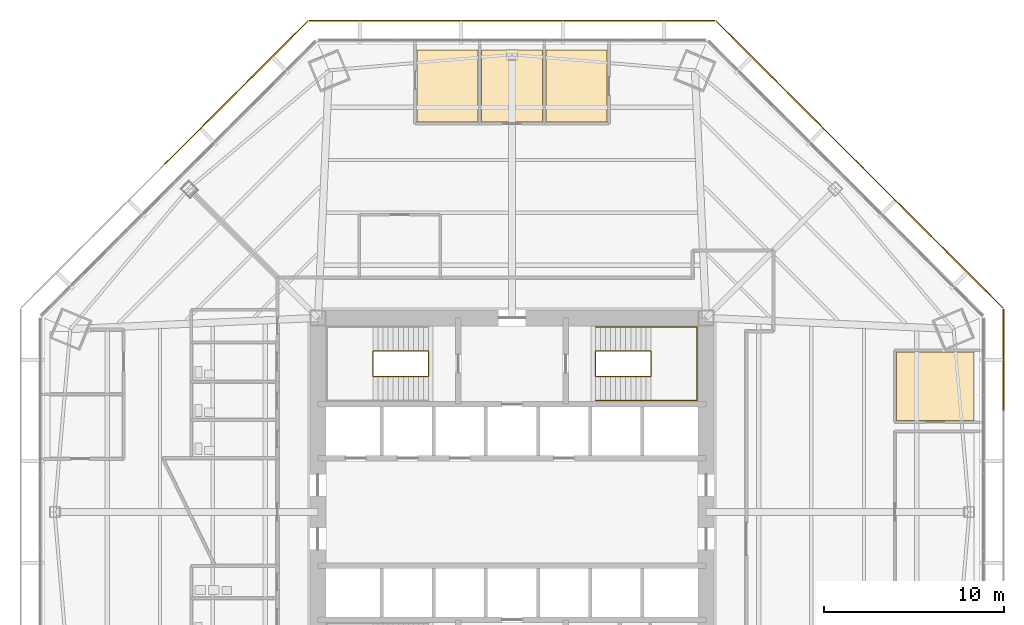
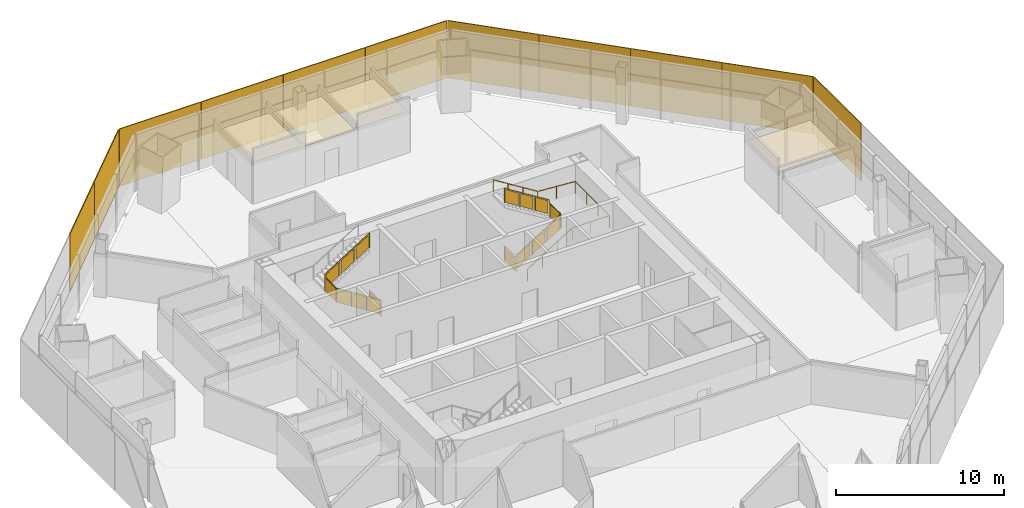
# One storey, part 14 of 15: 11 shading devices, 4 coverings, 3 railings.
"""IFC4 building model written with IfcOpenShell, lengths in metres."""

from ifc_helpers import new_model, si_unit, direction, frame, origin, origin_2d, place, context, subcontext, project, spatial, polyline, rectangle, circle, outline, extrude, source, transform, mapped, material, layer, layer_set, type_object, type_shapes, element, save


model = new_model("IFC4")

# Units and contexts
model_context = context("Model", 3, precision=1e-05, world=origin(), true_north=direction((0.0, 1.0)))
body_context = subcontext(model_context, "Body", "Model", "MODEL_VIEW")
ifc_project = project(units=[si_unit("LENGTHUNIT", "METRE"), si_unit("AREAUNIT", "SQUARE_METRE"), si_unit("VOLUMEUNIT", "CUBIC_METRE"), si_unit("PLANEANGLEUNIT", "RADIAN"), si_unit("MASSUNIT", "GRAM", prefix="KILO")], contexts=[model_context])

# Site, building, storey
site_placement = place(None, origin())
site = spatial("IfcSite", under=ifc_project, at=site_placement, CompositionType="ELEMENT")
building_placement = place(site_placement, origin())
building = spatial("IfcBuilding", under=site, at=building_placement, Name="Mashrafa Tower", CompositionType="ELEMENT")
storey_placement = place(building_placement, frame((0.0, 0.0, 62.39990234375)))
storey = spatial("IfcBuildingStorey", under=building, at=storey_placement, Name="L13", CompositionType="ELEMENT", Elevation=62.39990234375)

# Railings
ifc_material_1 = material(Name="Steel guard with glass infill", Category="steel")
railing_type_1 = type_object("IfcRailingType", Name="Stair guard 1100", PredefinedType="GUARDRAIL", material=ifc_material_1)
railing_1_placement = place(storey_placement, frame((-4.64990234375, 8.949951171875, 0.0)))
element("IfcRailing", 1, at=railing_1_placement, inside=storey, type_object=railing_type_1, Name="Stair S1 guard L13", PredefinedType="GUARDRAIL", context=body_context, shape_type="SweptSolid", body=[
    extrude(circle(Radius=0.02392578125, at=origin_2d()), frame((0.0, 0.0, 1.076171875), z_axis=(0.0, -1.0, 0.0), x_axis=(1.0, 0.0, 0.0)), (0.0, 0.0, 1.0), 1.39990234375),
    extrude(circle(Radius=0.02392578125, at=origin_2d()), frame((0.0, -1.39990234375, 1.076171875), z_axis=(0.0, 0.0, 1.0), x_axis=(1.0, 0.0, 0.0)), (0.0, 0.0, 1.0), 0.175048828125),
    extrude(circle(Radius=0.02392578125, at=origin_2d()), frame((0.0, -1.39990234375, 1.2509765625), z_axis=(-0.847998304005, 0.0, 0.529998940003), x_axis=(0.0, -1.0, 0.0)), (0.0, 0.0, 1.0), 3.632080078125),
    extrude(circle(Radius=0.02392578125, at=origin_2d()), frame((-3.080078125, -1.39990234375, 3.17626953125), z_axis=(0.0, 1.0, 0.0), x_axis=(-1.0, 0.0, 0.0)), (0.0, 0.0, 1.0), 1.39990234375),
    extrude(circle(Radius=0.02392578125, at=origin_2d()), frame((-3.080078125, 0.0, 3.17626953125), z_axis=(0.0, 0.0, 1.0), x_axis=(1.0, 0.0, 0.0)), (0.0, 0.0, 1.0), 0.175048828125),
    extrude(circle(Radius=0.02392578125, at=origin_2d()), frame((-3.080078125, 0.0, 3.35107421875), z_axis=(0.847998304005, 0.0, 0.529998940003), x_axis=(0.0, 1.0, 0.0)), (0.0, 0.0, 1.0), 3.632080078125),
    extrude(circle(Radius=0.02099609375, at=origin_2d()), origin(), (0.0, 0.0, 1.0), 1.052001953125),
    extrude(circle(Radius=0.02099609375, at=origin_2d()), frame((0.0, -1.39990234375, 0.0)), (0.0, 0.0, 1.0), 1.052001953125),
    extrude(circle(Radius=0.02099609375, at=origin_2d()), frame((0.0, -1.39990234375, 0.175048828125)), (0.0, 0.0, 1.0), 1.052001953125),
    extrude(circle(Radius=0.02099609375, at=origin_2d()), frame((-1.026611328125, -1.39990234375, 0.816650390625)), (0.0, 0.0, 1.0), 1.052001953125),
    extrude(circle(Radius=0.02099609375, at=origin_2d()), frame((-2.053466796875, -1.39990234375, 1.45849609375)), (0.0, 0.0, 1.0), 1.052001953125),
    extrude(circle(Radius=0.02099609375, at=origin_2d()), frame((-3.080078125, -1.39990234375, 2.10009765625)), (0.0, 0.0, 1.0), 1.052001953125),
    extrude(circle(Radius=0.02099609375, at=origin_2d()), frame((-3.080078125, 0.0, 2.10009765625)), (0.0, 0.0, 1.0), 1.052001953125),
    extrude(circle(Radius=0.02099609375, at=origin_2d()), frame((-3.080078125, 0.0, 2.275146484375)), (0.0, 0.0, 1.0), 1.052001953125),
    extrude(circle(Radius=0.02099609375, at=origin_2d()), frame((-2.053466796875, 0.0, 2.916748046875)), (0.0, 0.0, 1.0), 1.052001953125),
    extrude(circle(Radius=0.02099609375, at=origin_2d()), frame((-1.026611328125, 0.0, 3.55859375)), (0.0, 0.0, 1.0), 1.052001953125),
    extrude(circle(Radius=0.02099609375, at=origin_2d()), frame((0.0, 0.0, 4.2001953125)), (0.0, 0.0, 1.0), 1.052001953125),
    extrude(outline(polyline([(0.071044921875, 0.050048828125), (1.328857421875, 0.050048828125), (1.328857421875, 1.001953125), (0.071044921875, 1.001953125), (0.071044921875, 0.050048828125)])), frame((-0.006103515625, 0.0, 0.0), z_axis=(-1.0, 0.0, 0.0), x_axis=(0.0, -1.0, 0.0)), (0.0, 0.0, 1.0), 0.011962890625),
    extrude(outline(polyline([(0.071044921875, 0.094482421875), (0.955810546875, 0.647216796875), (0.955810546875, 1.599365234375), (0.071044921875, 1.04638671875), (0.071044921875, 0.094482421875)])), frame((0.0, -1.393798828125, 0.175048828125), z_axis=(0.0, 1.0, 0.0), x_axis=(-1.0, 0.0, 0.0)), (0.0, 0.0, 1.0), 0.011962890625),
    extrude(outline(polyline([(1.09765625, 0.736083984375), (1.982421875, 1.2890625), (1.982421875, 2.240966796875), (1.09765625, 1.68798828125), (1.09765625, 0.736083984375)])), frame((0.0, -1.393798828125, 0.175048828125), z_axis=(0.0, 1.0, 0.0), x_axis=(-1.0, 0.0, 0.0)), (0.0, 0.0, 1.0), 0.011962890625),
    extrude(outline(polyline([(2.124267578125, 1.377685546875), (3.009033203125, 1.9306640625), (3.009033203125, 2.882568359375), (2.124267578125, 2.329833984375), (2.124267578125, 1.377685546875)])), frame((0.0, -1.393798828125, 0.175048828125), z_axis=(0.0, 1.0, 0.0), x_axis=(-1.0, 0.0, 0.0)), (0.0, 0.0, 1.0), 0.011962890625),
    extrude(outline(polyline([(0.071044921875, 0.050048828125), (1.328857421875, 0.050048828125), (1.328857421875, 1.001953125), (0.071044921875, 1.001953125), (0.071044921875, 0.050048828125)])), frame((-3.073974609375, -1.39990234375, 2.10009765625), z_axis=(1.0, 0.0, 0.0), x_axis=(0.0, 1.0, 0.0)), (0.0, 0.0, 1.0), 0.011962890625),
    extrude(outline(polyline([(0.071044921875, 0.094482421875), (0.955810546875, 0.647216796875), (0.955810546875, 1.599365234375), (0.071044921875, 1.04638671875), (0.071044921875, 0.094482421875)])), frame((-3.080078125, -0.006103515625, 2.275146484375), z_axis=(0.0, -1.0, 0.0), x_axis=(1.0, 0.0, 0.0)), (0.0, 0.0, 1.0), 0.011962890625),
    extrude(outline(polyline([(1.09765625, 0.736083984375), (1.982421875, 1.2890625), (1.982421875, 2.240966796875), (1.09765625, 1.68798828125), (1.09765625, 0.736083984375)])), frame((-3.080078125, -0.006103515625, 2.275146484375), z_axis=(0.0, -1.0, 0.0), x_axis=(1.0, 0.0, 0.0)), (0.0, 0.0, 1.0), 0.011962890625),
    extrude(outline(polyline([(2.124267578125, 1.377685546875), (3.009033203125, 1.9306640625), (3.009033203125, 2.882568359375), (2.124267578125, 2.329833984375), (2.124267578125, 1.377685546875)])), frame((-3.080078125, -0.006103515625, 2.275146484375), z_axis=(0.0, -1.0, 0.0), x_axis=(1.0, 0.0, 0.0)), (0.0, 0.0, 1.0), 0.011962890625),
])
railing_2_placement = place(storey_placement, frame((4.64990234375, 8.949951171875, 0.0)))
element("IfcRailing", 2, at=railing_2_placement, inside=storey, type_object=railing_type_1, Name="Stair S2 guard L13", PredefinedType="GUARDRAIL", context=body_context, shape_type="SweptSolid", body=[
    extrude(circle(Radius=0.02392578125, at=origin_2d()), frame((0.0, 0.0, 1.076171875), z_axis=(0.0, -1.0, 0.0), x_axis=(1.0, 0.0, 0.0)), (0.0, 0.0, 1.0), 1.39990234375),
    extrude(circle(Radius=0.02392578125, at=origin_2d()), frame((0.0, -1.39990234375, 1.076171875), z_axis=(0.0, 0.0, 1.0), x_axis=(1.0, 0.0, 0.0)), (0.0, 0.0, 1.0), 0.175048828125),
    extrude(circle(Radius=0.02392578125, at=origin_2d()), frame((0.0, -1.39990234375, 1.2509765625), z_axis=(0.847998304005, 0.0, 0.529998940003), x_axis=(0.0, 1.0, 0.0)), (0.0, 0.0, 1.0), 3.632080078125),
    extrude(circle(Radius=0.02392578125, at=origin_2d()), frame((3.080078125, -1.39990234375, 3.17626953125), z_axis=(0.0, 1.0, 0.0), x_axis=(-1.0, 0.0, 0.0)), (0.0, 0.0, 1.0), 1.39990234375),
    extrude(circle(Radius=0.02392578125, at=origin_2d()), frame((3.080078125, 0.0, 3.17626953125), z_axis=(0.0, 0.0, 1.0), x_axis=(1.0, 0.0, 0.0)), (0.0, 0.0, 1.0), 0.175048828125),
    extrude(circle(Radius=0.02392578125, at=origin_2d()), frame((3.080078125, 0.0, 3.35107421875), z_axis=(-0.847998304005, 0.0, 0.529998940003), x_axis=(0.0, -1.0, 0.0)), (0.0, 0.0, 1.0), 3.632080078125),
    extrude(circle(Radius=0.02099609375, at=origin_2d()), origin(), (0.0, 0.0, 1.0), 1.052001953125),
    extrude(circle(Radius=0.02099609375, at=origin_2d()), frame((0.0, -1.39990234375, 0.0)), (0.0, 0.0, 1.0), 1.052001953125),
    extrude(circle(Radius=0.02099609375, at=origin_2d()), frame((0.0, -1.39990234375, 0.175048828125)), (0.0, 0.0, 1.0), 1.052001953125),
    extrude(circle(Radius=0.02099609375, at=origin_2d()), frame((1.026611328125, -1.39990234375, 0.816650390625)), (0.0, 0.0, 1.0), 1.052001953125),
    extrude(circle(Radius=0.02099609375, at=origin_2d()), frame((2.053466796875, -1.39990234375, 1.45849609375)), (0.0, 0.0, 1.0), 1.052001953125),
    extrude(circle(Radius=0.02099609375, at=origin_2d()), frame((3.080078125, -1.39990234375, 2.10009765625)), (0.0, 0.0, 1.0), 1.052001953125),
    extrude(circle(Radius=0.02099609375, at=origin_2d()), frame((3.080078125, 0.0, 2.10009765625)), (0.0, 0.0, 1.0), 1.052001953125),
    extrude(circle(Radius=0.02099609375, at=origin_2d()), frame((3.080078125, 0.0, 2.275146484375)), (0.0, 0.0, 1.0), 1.052001953125),
    extrude(circle(Radius=0.02099609375, at=origin_2d()), frame((2.053466796875, 0.0, 2.916748046875)), (0.0, 0.0, 1.0), 1.052001953125),
    extrude(circle(Radius=0.02099609375, at=origin_2d()), frame((1.026611328125, 0.0, 3.55859375)), (0.0, 0.0, 1.0), 1.052001953125),
    extrude(circle(Radius=0.02099609375, at=origin_2d()), frame((0.0, 0.0, 4.2001953125)), (0.0, 0.0, 1.0), 1.052001953125),
    extrude(outline(polyline([(0.071044921875, 0.050048828125), (1.328857421875, 0.050048828125), (1.328857421875, 1.001953125), (0.071044921875, 1.001953125), (0.071044921875, 0.050048828125)])), frame((-0.006103515625, 0.0, 0.0), z_axis=(-1.0, 0.0, 0.0), x_axis=(0.0, -1.0, 0.0)), (0.0, 0.0, 1.0), 0.011962890625),
    extrude(outline(polyline([(0.071044921875, 0.094482421875), (0.955810546875, 0.647216796875), (0.955810546875, 1.599365234375), (0.071044921875, 1.04638671875), (0.071044921875, 0.094482421875)])), frame((0.0, -1.406005859375, 0.175048828125), z_axis=(0.0, -1.0, 0.0), x_axis=(1.0, 0.0, 0.0)), (0.0, 0.0, 1.0), 0.011962890625),
    extrude(outline(polyline([(1.09765625, 0.736083984375), (1.982421875, 1.2890625), (1.982421875, 2.240966796875), (1.09765625, 1.68798828125), (1.09765625, 0.736083984375)])), frame((0.0, -1.406005859375, 0.175048828125), z_axis=(0.0, -1.0, 0.0), x_axis=(1.0, 0.0, 0.0)), (0.0, 0.0, 1.0), 0.011962890625),
    extrude(outline(polyline([(2.124267578125, 1.377685546875), (3.009033203125, 1.9306640625), (3.009033203125, 2.882568359375), (2.124267578125, 2.329833984375), (2.124267578125, 1.377685546875)])), frame((0.0, -1.406005859375, 0.175048828125), z_axis=(0.0, -1.0, 0.0), x_axis=(1.0, 0.0, 0.0)), (0.0, 0.0, 1.0), 0.011962890625),
    extrude(outline(polyline([(0.071044921875, 0.050048828125), (1.328857421875, 0.050048828125), (1.328857421875, 1.001953125), (0.071044921875, 1.001953125), (0.071044921875, 0.050048828125)])), frame((3.086181640625, -1.39990234375, 2.10009765625), z_axis=(1.0, 0.0, 0.0), x_axis=(0.0, 1.0, 0.0)), (0.0, 0.0, 1.0), 0.011962890625),
    extrude(outline(polyline([(0.071044921875, 0.094482421875), (0.955810546875, 0.647216796875), (0.955810546875, 1.599365234375), (0.071044921875, 1.04638671875), (0.071044921875, 0.094482421875)])), frame((3.080078125, 0.006103515625, 2.275146484375), z_axis=(0.0, 1.0, 0.0), x_axis=(-1.0, 0.0, 0.0)), (0.0, 0.0, 1.0), 0.011962890625),
    extrude(outline(polyline([(1.09765625, 0.736083984375), (1.982421875, 1.2890625), (1.982421875, 2.240966796875), (1.09765625, 1.68798828125), (1.09765625, 0.736083984375)])), frame((3.080078125, 0.006103515625, 2.275146484375), z_axis=(0.0, 1.0, 0.0), x_axis=(-1.0, 0.0, 0.0)), (0.0, 0.0, 1.0), 0.011962890625),
    extrude(outline(polyline([(2.124267578125, 1.377685546875), (3.009033203125, 1.9306640625), (3.009033203125, 2.882568359375), (2.124267578125, 2.329833984375), (2.124267578125, 1.377685546875)])), frame((3.080078125, 0.006103515625, 2.275146484375), z_axis=(0.0, 1.0, 0.0), x_axis=(-1.0, 0.0, 0.0)), (0.0, 0.0, 1.0), 0.011962890625),
])
ifc_material_2 = material(Name="Steel", Category="steel")
railing_type_2 = type_object("IfcRailingType", Name="Stair handrail 900", PredefinedType="HANDRAIL", material=ifc_material_2)
railing_3_placement = place(storey_placement, frame((4.64990234375, 6.199951171875, 0.175048828125)))
element("IfcRailing", 3, at=railing_3_placement, inside=storey, type_object=railing_type_2, Name="Stair S2 handrail L13", PredefinedType="HANDRAIL", context=body_context, shape_type="SweptSolid", body=[
    extrude(circle(Radius=0.02392578125, at=origin_2d()), frame((0.0, 0.0, 0.8759765625), z_axis=(0.847998304005, 0.0, 0.529998940003), x_axis=(0.0, 1.0, 0.0)), (0.0, 0.0, 1.0), 3.632080078125),
    extrude(circle(Radius=0.02392578125, at=origin_2d()), frame((3.080078125, 0.0, 2.80078125), z_axis=(1.0, 0.0, 0.0), x_axis=(0.0, 1.0, 0.0)), (0.0, 0.0, 1.0), 2.570068359375),
    extrude(circle(Radius=0.02392578125, at=origin_2d()), frame((5.650146484375, 0.0, 2.80078125), z_axis=(0.0, 1.0, 0.0), x_axis=(-1.0, 0.0, 0.0)), (0.0, 0.0, 1.0), 4.10009765625),
    extrude(circle(Radius=0.02392578125, at=origin_2d()), frame((5.650146484375, 4.10009765625, 2.80078125), z_axis=(-0.997688514158, 0.0, 0.067953136188), x_axis=(0.0, -1.0, 0.0)), (0.0, 0.0, 1.0), 2.575927734375),
    extrude(circle(Radius=0.02392578125, at=origin_2d()), frame((3.080078125, 4.10009765625, 2.97607421875), z_axis=(-0.847998304005, 0.0, 0.529998940003), x_axis=(0.0, -1.0, 0.0)), (0.0, 0.0, 1.0), 3.632080078125),
    extrude(circle(Radius=0.02099609375, at=origin_2d()), origin(), (0.0, 0.0, 1.0), 0.851806640625),
    extrude(circle(Radius=0.02099609375, at=origin_2d()), frame((1.026611328125, 0.0, 0.6416015625)), (0.0, 0.0, 1.0), 0.851806640625),
    extrude(circle(Radius=0.02099609375, at=origin_2d()), frame((2.053466796875, 0.0, 1.283447265625)), (0.0, 0.0, 1.0), 0.851806640625),
    extrude(circle(Radius=0.02099609375, at=origin_2d()), frame((3.080078125, 0.0, 1.925048828125)), (0.0, 0.0, 1.0), 0.851806640625),
    extrude(circle(Radius=0.02099609375, at=origin_2d()), frame((4.365234375, 0.0, 1.925048828125)), (0.0, 0.0, 1.0), 0.851806640625),
    extrude(circle(Radius=0.02099609375, at=origin_2d()), frame((5.650146484375, 0.0, 1.925048828125)), (0.0, 0.0, 1.0), 0.851806640625),
    extrude(circle(Radius=0.02099609375, at=origin_2d()), frame((5.650146484375, 1.36669921875, 1.925048828125)), (0.0, 0.0, 1.0), 0.851806640625),
    extrude(circle(Radius=0.02099609375, at=origin_2d()), frame((5.650146484375, 2.7333984375, 1.925048828125)), (0.0, 0.0, 1.0), 0.851806640625),
    extrude(circle(Radius=0.02099609375, at=origin_2d()), frame((5.650146484375, 4.10009765625, 1.925048828125)), (0.0, 0.0, 1.0), 0.851806640625),
    extrude(circle(Radius=0.02099609375, at=origin_2d()), frame((4.365234375, 4.10009765625, 2.0126953125)), (0.0, 0.0, 1.0), 0.851806640625),
    extrude(circle(Radius=0.02099609375, at=origin_2d()), frame((3.080078125, 4.10009765625, 2.10009765625)), (0.0, 0.0, 1.0), 0.851806640625),
    extrude(circle(Radius=0.02099609375, at=origin_2d()), frame((2.053466796875, 4.10009765625, 2.74169921875)), (0.0, 0.0, 1.0), 0.851806640625),
    extrude(circle(Radius=0.02099609375, at=origin_2d()), frame((1.026611328125, 4.10009765625, 3.383544921875)), (0.0, 0.0, 1.0), 0.851806640625),
    extrude(circle(Radius=0.02099609375, at=origin_2d()), frame((0.0, 4.10009765625, 4.025146484375)), (0.0, 0.0, 1.0), 0.851806640625),
])

# Coverings
ifc_material_3 = material(Name="Mineral fibre tile on suspension grid")
ifc_layer_1 = layer(ifc_material_3, 0.014892578125)
ifc_layer_set_1 = layer_set([ifc_layer_1], Name="Suspended ceiling mineral tile 15")
covering_type = type_object("IfcCoveringType", Name="Suspended ceiling mineral tile 15", PredefinedType="CEILING", material=ifc_layer_set_1)
covering_1_placement = place(storey_placement, frame((0.0, 0.0, 2.900146484375)))
element("IfcCovering", 4, at=covering_1_placement, inside=storey, type_object=covering_type, Name="Ceiling Office 13-A-1", PredefinedType="CEILING", context=body_context, shape_type="SweptSolid", body=[
    extrude(outline(polyline([(1.89990234375, 25.699462890625), (5.300048828125, 25.699462890625), (5.300048828125, 21.699462890625), (1.89990234375, 21.699462890625), (1.89990234375, 25.699462890625)])), origin(), (0.0, 0.0, 1.0), 0.014892578125),
])
covering_2_placement = place(storey_placement, frame((0.0, 0.0, 2.85009765625)))
element("IfcCovering", 5, at=covering_2_placement, inside=storey, type_object=covering_type, Name="Ceiling Office 13-A-2", PredefinedType="CEILING", context=body_context, shape_type="SweptSolid", body=[
    extrude(outline(polyline([(-1.699951171875, 25.699462890625), (1.699951171875, 25.699462890625), (1.699951171875, 21.699462890625), (-1.699951171875, 21.699462890625), (-1.699951171875, 25.699462890625)])), origin(), (0.0, 0.0, 1.0), 0.014892578125),
])
covering_3_placement = place(storey_placement, frame((0.0, 0.0, 2.900146484375)))
element("IfcCovering", 6, at=covering_3_placement, inside=storey, type_object=covering_type, Name="Ceiling Office 13-A-3", PredefinedType="CEILING", context=body_context, shape_type="SweptSolid", body=[
    extrude(outline(polyline([(-5.300048828125, 25.699462890625), (-1.89990234375, 25.699462890625), (-1.89990234375, 21.699462890625), (-5.300048828125, 21.699462890625), (-5.300048828125, 25.699462890625)])), origin(), (0.0, 0.0, 1.0), 0.014892578125),
])
covering_4_placement = place(storey_placement, frame((0.0, 0.0, 2.900146484375)))
element("IfcCovering", 7, at=covering_4_placement, inside=storey, type_object=covering_type, Name="Ceiling Project Meeting Room 13-A1", PredefinedType="CEILING", context=body_context, shape_type="SweptSolid", body=[
    extrude(outline(polyline([(21.3994140625, 8.89990234375), (25.699462890625, 8.89990234375), (25.699462890625, 5.10009765625), (21.3994140625, 5.10009765625), (21.3994140625, 8.89990234375)])), origin(), (0.0, 0.0, 1.0), 0.014892578125),
])

# Shading devices
ifc_material_4 = material(Name="Perforated aluminium plate, eight-point star pattern", Category="aluminium")
ifc_layer_2 = layer(ifc_material_4, 0.06005859375)
ifc_layer_set_2 = layer_set([ifc_layer_2], Name="Mashrabiya screen panel office zone 1, 45 percent open")
shading_device_type = type_object("IfcShadingDeviceType", Name="Mashrabiya screen panel office zone 1, 45 percent open", PredefinedType="SHUTTER", material=ifc_layer_set_2)
shared_shape = source(origin(), body_context, "Body", "SweptSolid", [
    extrude(rectangle(XDim=5.633056640625, YDim=0.06005859375, at=origin_2d()), origin(), (0.0, 0.0, 1.0), 4.179931640625),
])
type_shapes(shading_device_type, [shared_shape])
for number, where, z_axis, x_axis, name in (
    (8, (27.349609375, 8.4794921875, -0.14990234375), (0.0, 0.0, 1.0), (0.0, 1.0, 0.0), "Mashrabiya screen L13 east 4"),
    (9, (25.3349609375, 13.343017578125, -0.14990234375), (0.0, 0.0, 1.0), (-0.707106781187, 0.707106781187, 0.0), "Mashrabiya screen L13 north-east 1"),
    (10, (21.337646484375, 17.34033203125, -0.14990234375), (0.0, 0.0, 1.0), (-0.707106781187, 0.707106781187, 0.0), "Mashrabiya screen L13 north-east 2"),
    (11, (17.34033203125, 21.337646484375, -0.14990234375), (0.0, 0.0, 1.0), (-0.707106781187, 0.707106781187, 0.0), "Mashrabiya screen L13 north-east 3"),
    (12, (13.343017578125, 25.3349609375, -0.14990234375), (0.0, 0.0, 1.0), (-0.707106781187, 0.707106781187, 0.0), "Mashrabiya screen L13 north-east 4"),
    (13, (8.4794921875, 27.349609375, -0.14990234375), (0.0, 0.0, 1.0), (-1.0, 0.0, 0.0), "Mashrabiya screen L13 north 1"),
    (14, (2.826416015625, 27.349609375, -0.14990234375), (0.0, 0.0, 1.0), (-1.0, 0.0, 0.0), "Mashrabiya screen L13 north 2"),
    (15, (-2.826416015625, 27.349609375, -0.14990234375), (0.0, 0.0, 1.0), (-1.0, 0.0, 0.0), "Mashrabiya screen L13 north 3"),
    (16, (-8.4794921875, 27.349609375, -0.14990234375), (0.0, 0.0, 1.0), (-1.0, 0.0, 0.0), "Mashrabiya screen L13 north 4"),
    (17, (-13.343017578125, 25.3349609375, -0.14990234375), (0.0, 0.0, 1.0), (-0.707106781187, -0.707106781187, 0.0), "Mashrabiya screen L13 north-west 1"),
    (18, (-17.34033203125, 21.337646484375, -0.14990234375), (0.0, 0.0, 1.0), (-0.707106781187, -0.707106781187, 0.0), "Mashrabiya screen L13 north-west 2"),
):
    element("IfcShadingDevice", number, at=place(storey_placement, frame(where, z_axis=z_axis, x_axis=x_axis)), inside=storey, type_object=shading_device_type, Name=name, PredefinedType="SHUTTER", context=body_context, shape_type="MappedRepresentation", body=[
        mapped(shared_shape, transform((0.0, 0.0, 0.0))),
    ])

save(model, "model.ifc")
